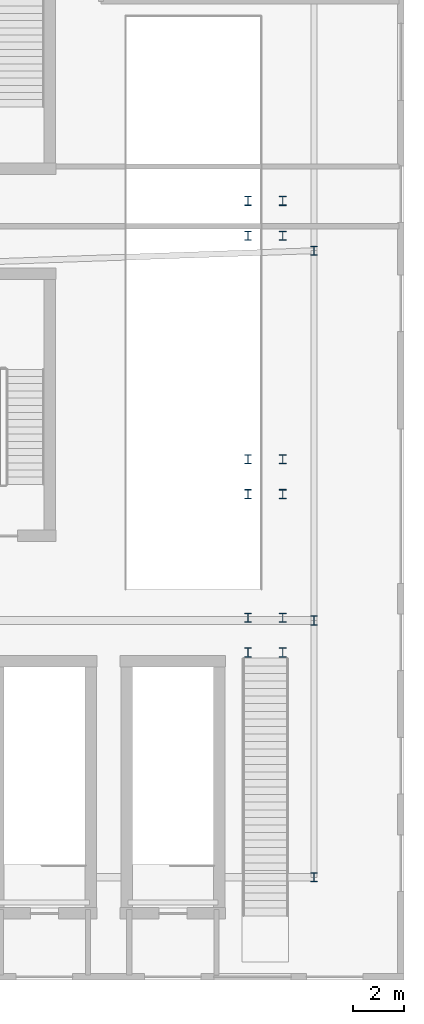
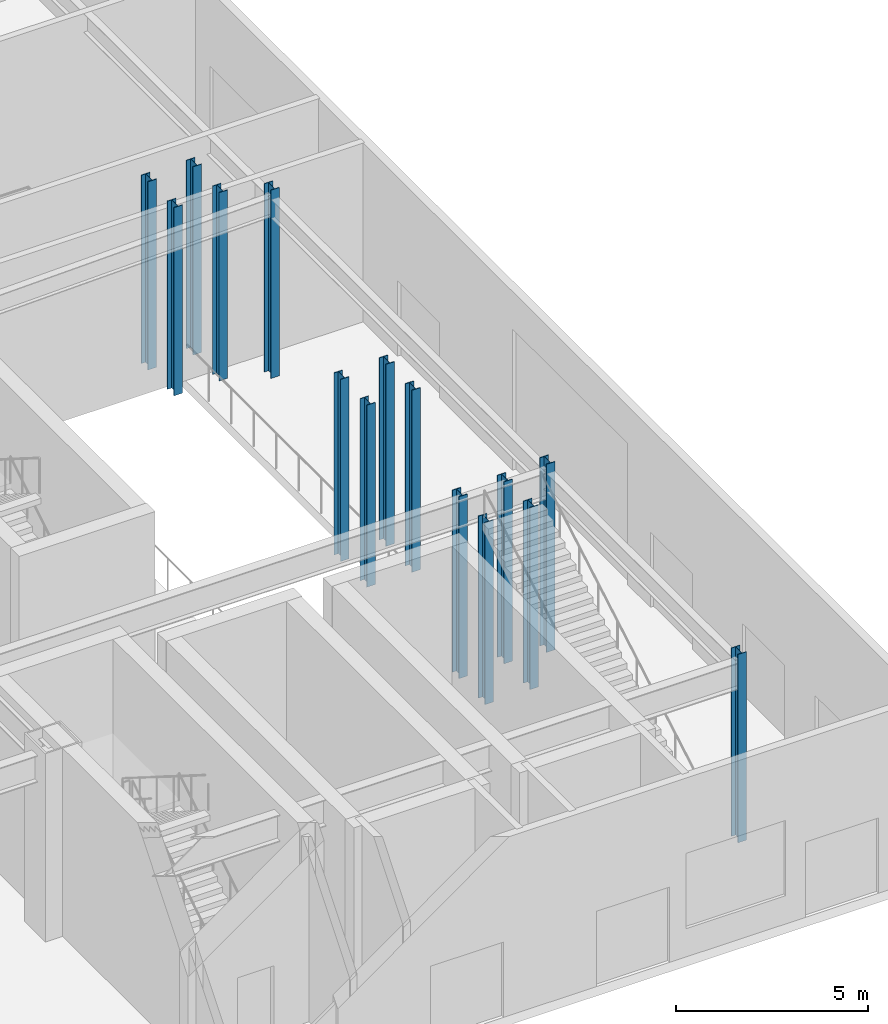
# One storey, part 5 of 25: 15 columns.
"""IFC4 building model written with IfcOpenShell, lengths in metres."""

from ifc_helpers import new_model, si_unit, derived_unit, direction, frame, origin, origin_2d, place, context, subcontext, project, spatial, i_section, extrude, source, transform, mapped, material, material_profile, profile_set, type_object, element, save


model = new_model("IFC4")

# Units and contexts
model_context = context("Model", 3, precision=1e-05, world=origin(), true_north=direction((0.0, 1.0)))
body_context = subcontext(model_context, "Body", "Model", "MODEL_VIEW")
ifc_project = project(units=[si_unit("LENGTHUNIT", "METRE"), si_unit("AREAUNIT", "SQUARE_METRE"), si_unit("VOLUMEUNIT", "CUBIC_METRE"), si_unit("PLANEANGLEUNIT", "RADIAN"), si_unit("MASSUNIT", "GRAM", prefix="KILO"), derived_unit("THERMALTRANSMITTANCEUNIT", [(si_unit("POWERUNIT", "WATT"), 1), (si_unit("LENGTHUNIT", "METRE"), -2), (si_unit("THERMODYNAMICTEMPERATUREUNIT", "KELVIN"), -1)])], contexts=[model_context])

# Site, building, storey
site_placement = place(None, origin())
site = spatial("IfcSite", under=ifc_project, at=site_placement, CompositionType="ELEMENT")
building_placement = place(site_placement, origin())
building = spatial("IfcBuilding", under=site, at=building_placement, Name="Skarnbrae Concourse Arena and Tower", CompositionType="ELEMENT")
storey_placement = place(building_placement, origin())
storey = spatial("IfcBuildingStorey", under=building, at=storey_placement, Name="L00", CompositionType="ELEMENT", Elevation=0.0)

# Columns
ifc_material = material(Name="Steel CSA G40.21 350W", Category="steel")
ifc_material_profile = material_profile(ifc_material, i_section(OverallWidth=0.257080078125, OverallDepth=0.363037109375, WebThickness=0.012939453125, FlangeThickness=0.021728515625, at=origin_2d()), Name="W360X122")
ifc_profile_set = profile_set([ifc_material_profile], Name="Steel CSA G40.21 350W")
column_type = type_object("IfcColumnType", Name="COL-POD-W360X122", PredefinedType="COLUMN", material=ifc_profile_set)
shared_shape_1 = source(origin(), body_context, "Body", "SweptSolid", [
    extrude(i_section(OverallWidth=0.257080078125, OverallDepth=0.363037109375, WebThickness=0.012939453125, FlangeThickness=0.021728515625, at=origin_2d()), origin(), (0.0, 0.0, 1.0), 6.0),
])
for number, where, z_axis, x_axis, name in (
    (1, (78.5, 4.0, 0.0), (0.0, 0.0, 1.0), (1.0, 0.0, 0.0), "L00 Podium mega-column PC-EP1"),
    (2, (78.5, 14.0, 0.0), (0.0, 0.0, 1.0), (1.0, 0.0, 0.0), "L00 Podium mega-column PC-EP2"),
    (3, (78.5, 28.39990234375, 0.0), (0.0, 0.0, 1.0), (1.0, 0.0, 0.0), "L00 Podium mega-column PC-EP3"),
    (4, (75.919921875, 28.97998046875, 0.0), (0.0, 0.0, 1.0), (1.0, 0.0, 0.0), "L00 Concourse stair ST-CONC-1-L01 TOP post 11"),
    (5, (75.919921875, 30.340087890625, 0.0), (0.0, 0.0, 1.0), (1.0, 0.0, 0.0), "L00 Concourse stair ST-CONC-1-L01 TOP post 12"),
    (6, (77.280029296875, 28.97998046875, 0.0), (0.0, 0.0, 1.0), (1.0, 0.0, 0.0), "L00 Concourse stair ST-CONC-1-L01 TOP post 21"),
    (7, (77.280029296875, 30.340087890625, 0.0), (0.0, 0.0, 1.0), (1.0, 0.0, 0.0), "L00 Concourse stair ST-CONC-1-L01 TOP post 22"),
):
    element("IfcColumn", number, at=place(storey_placement, frame(where, z_axis=z_axis, x_axis=x_axis)), inside=storey, type_object=column_type, Name=name, PredefinedType="COLUMN", context=body_context, shape_type="MappedRepresentation", body=[
        mapped(shared_shape_1, transform((0.0, 0.0, 0.0))),
    ])
shared_shape_2 = source(origin(), body_context, "Body", "SweptSolid", [
    extrude(i_section(OverallWidth=0.257080078125, OverallDepth=0.363037109375, WebThickness=0.012939453125, FlangeThickness=0.021728515625, at=origin_2d()), origin(), (0.0, 0.0, 1.0), 5.800048828125),
])
for number, where, z_axis, x_axis, name in (
    (8, (75.919921875, 12.75, 0.0), (0.0, 0.0, 1.0), (1.0, 0.0, 0.0), "L00 Concourse stair ST-CONC-1-L00 TOP post 11"),
    (9, (75.919921875, 14.110107421875, 0.0), (0.0, 0.0, 1.0), (1.0, 0.0, 0.0), "L00 Concourse stair ST-CONC-1-L00 TOP post 12"),
    (10, (77.280029296875, 12.75, 0.0), (0.0, 0.0, 1.0), (1.0, 0.0, 0.0), "L00 Concourse stair ST-CONC-1-L00 TOP post 21"),
    (11, (77.280029296875, 14.110107421875, 0.0), (0.0, 0.0, 1.0), (1.0, 0.0, 0.0), "L00 Concourse stair ST-CONC-1-L00 TOP post 22"),
    (12, (75.919921875, 18.919921875, 0.0), (0.0, 0.0, 1.0), (1.0, 0.0, 0.0), "L00 Concourse stair ST-CONC-1-L01 BOT post 11"),
    (13, (75.919921875, 20.280029296875, 0.0), (0.0, 0.0, 1.0), (1.0, 0.0, 0.0), "L00 Concourse stair ST-CONC-1-L01 BOT post 12"),
    (14, (77.280029296875, 18.919921875, 0.0), (0.0, 0.0, 1.0), (1.0, 0.0, 0.0), "L00 Concourse stair ST-CONC-1-L01 BOT post 21"),
    (15, (77.280029296875, 20.280029296875, 0.0), (0.0, 0.0, 1.0), (1.0, 0.0, 0.0), "L00 Concourse stair ST-CONC-1-L01 BOT post 22"),
):
    element("IfcColumn", number, at=place(storey_placement, frame(where, z_axis=z_axis, x_axis=x_axis)), inside=storey, type_object=column_type, Name=name, PredefinedType="COLUMN", context=body_context, shape_type="MappedRepresentation", body=[
        mapped(shared_shape_2, transform((0.0, 0.0, 0.0))),
    ])

save(model, "model.ifc")
